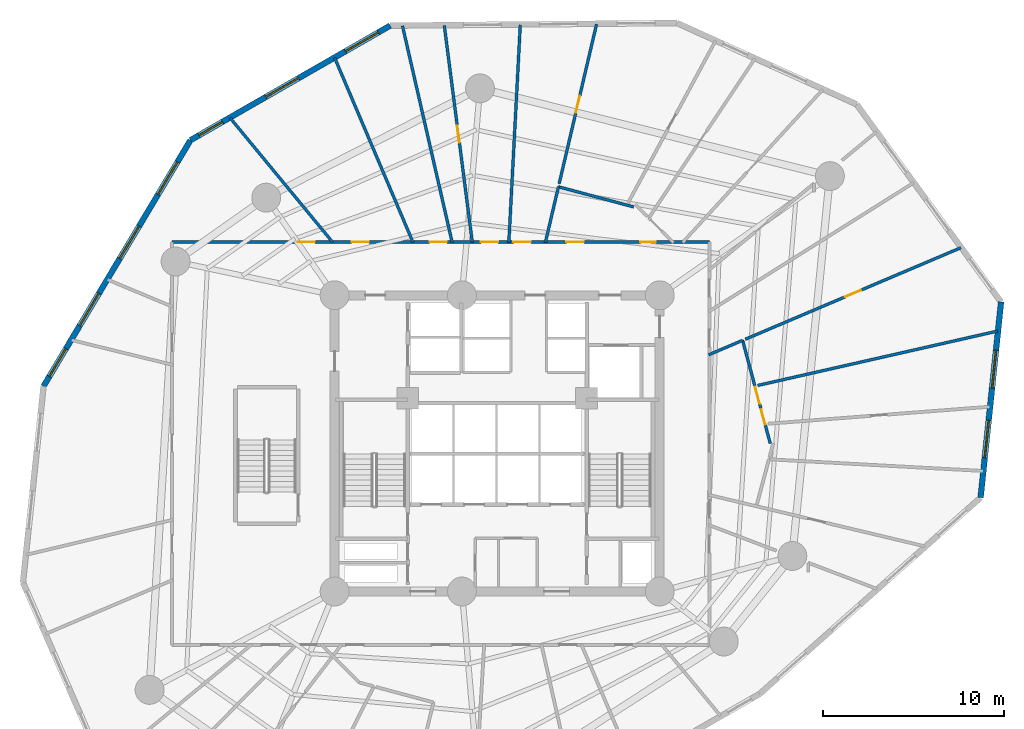
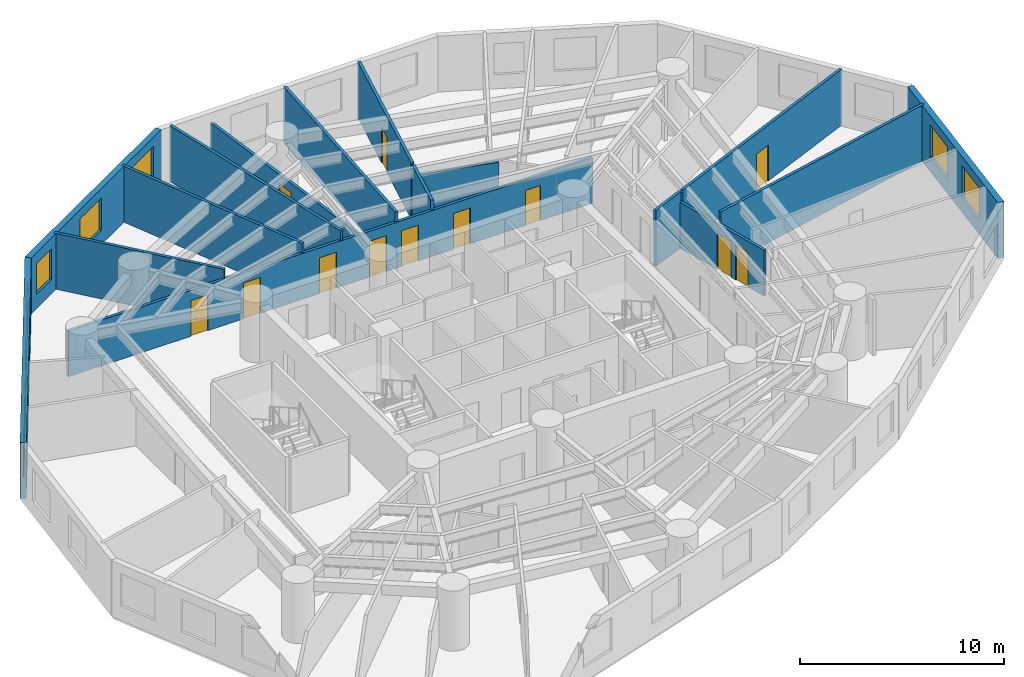
# One storey, part 6 of 8: 16 walls, 12 doors, 9 windows, 21 openings.
"""IFC4 building model written with IfcOpenShell, lengths in metres."""

from ifc_helpers import new_model, si_unit, direction, frame, frame_2d, origin, origin_with_axes, place, context, subcontext, project, spatial, rectangle, extrude, source, transform, mapped, material, layer, layer_set, type_object, element, fill, save


model = new_model("IFC4")

# Units and contexts
model_context = context("Model", 3, precision=1e-05, world=origin(), true_north=direction((0.0, 1.0)))
body_context = subcontext(model_context, "Body", "Model", "MODEL_VIEW")
ifc_project = project(units=[si_unit("LENGTHUNIT", "METRE"), si_unit("AREAUNIT", "SQUARE_METRE"), si_unit("VOLUMEUNIT", "CUBIC_METRE"), si_unit("PLANEANGLEUNIT", "RADIAN"), si_unit("MASSUNIT", "GRAM", prefix="KILO")], contexts=[model_context])

# Site, building, storey
site_placement = place(None, origin())
site = spatial("IfcSite", under=ifc_project, at=site_placement, CompositionType="ELEMENT")
building_placement = place(site_placement, origin())
building = spatial("IfcBuilding", under=site, at=building_placement, Name="Karkom Vertical University and Central Library", CompositionType="ELEMENT")
storey_placement = place(building_placement, frame((0.0, 0.0, 30.10009765625)))
storey = spatial("IfcBuildingStorey", under=building, at=storey_placement, Name="L07", CompositionType="ELEMENT", Elevation=30.10009765625)

# Wall, openings, windows
ifc_material_1 = material(Name="Brick-faced precast concrete C45/55", Category="masonry")
ifc_layer_1 = layer(ifc_material_1, 0.320068359375)
ifc_layer_set_1 = layer_set([ifc_layer_1], Name="Brick-faced precast concrete C45/55")
wall_type_1 = type_object("IfcWallType", Name="ENV-WL-BRK-320", PredefinedType="SOLIDWALL", material=ifc_layer_set_1)
wall_1_placement = place(storey_placement, frame((22.580810546875, 49.63427734375, 0.0), z_axis=(0.0, 0.0, 1.0), x_axis=(-0.867413771036, -0.497587529805, 0.0)))
wall_1 = element("IfcWall", 1, at=wall_1_placement, inside=storey, type_object=wall_type_1, Name="Level 07 Brick-Faced Precast Facade Wall 01", PredefinedType="SOLIDWALL", context=body_context, shape_type="SweptSolid", body=[
    extrude(rectangle(XDim=12.75341796875, YDim=0.320068359375, at=frame_2d((6.376708984375, 0.0))), origin(), (0.0, 0.0, 1.0), 3.349853515625),
])
opening_1_placement = place(wall_1_placement, frame((0.76171875, 0.0, 0.85009765625)))
opening_1 = element("IfcOpeningElement", 2, at=opening_1_placement, cuts=wall_1, Name="Opening WN-03", PredefinedType="OPENING", context=body_context, shape_type="SweptSolid", body=[
    extrude(rectangle(XDim=2.10009765625, YDim=1.949951171875, at=frame_2d((1.050048828125, 0.97509765625))), frame((0.0, 0.169921875, 0.0), z_axis=(0.0, -1.0, 0.0), x_axis=(1.0, 0.0, 0.0)), (0.0, 0.0, 1.0), 0.340087890625),
])
opening_2_placement = place(wall_1_placement, frame((5.845703125, 0.0, 0.85009765625)))
opening_2 = element("IfcOpeningElement", 3, at=opening_2_placement, cuts=wall_1, Name="Opening WN-03", PredefinedType="OPENING", context=body_context, shape_type="SweptSolid", body=[
    extrude(rectangle(XDim=2.10009765625, YDim=1.949951171875, at=frame_2d((1.050048828125, 0.97509765625))), frame((0.0, 0.169921875, 0.0), z_axis=(0.0, -1.0, 0.0), x_axis=(1.0, 0.0, 0.0)), (0.0, 0.0, 1.0), 0.340087890625),
])
opening_3_placement = place(wall_1_placement, frame((10.7109375, 0.0, 0.85009765625)))
opening_3 = element("IfcOpeningElement", 4, at=opening_3_placement, cuts=wall_1, Name="Opening WN-05", PredefinedType="OPENING", context=body_context, shape_type="SweptSolid", body=[
    extrude(rectangle(XDim=1.5, YDim=1.85009765625, at=frame_2d((0.75, 0.925048828125))), frame((0.0, 0.169921875, 0.0), z_axis=(0.0, -1.0, 0.0), x_axis=(1.0, 0.0, 0.0)), (0.0, 0.0, 1.0), 0.340087890625),
])
ifc_material_2 = material(Name="Aluminium thermal-break frame with solar-control IGU", Category="aluminium")
window_type_1 = type_object("IfcWindowType", Name="ENV-WIN-WN-03", PartitioningType="SINGLE_PANEL", PredefinedType="WINDOW", material=ifc_material_2)
shared_shape_1 = source(origin_with_axes(), body_context, "Body", "SweptSolid", [
    extrude(rectangle(XDim=2.10009765625, YDim=1.949951171875, at=frame_2d((1.050048828125, 0.97509765625))), frame((0.0, 0.030029296875, 0.0), z_axis=(0.0, -1.0, 0.0), x_axis=(1.0, 0.0, 0.0)), (0.0, 0.0, 1.0), 0.06005859375),
])
window_1_placement = place(opening_1_placement, origin())
window_1 = element("IfcWindow", 5, at=window_1_placement, inside=storey, type_object=window_type_1, Name="Level 07 Punched Window 1.1", OverallHeight=1.949951171875, OverallWidth=2.10009765625, PartitioningType="SINGLE_PANEL", PredefinedType="WINDOW", context=body_context, shape_type="MappedRepresentation", body=[
    mapped(shared_shape_1, transform((0.0, 0.0, 0.0), scale=1.0)),
])
fill(opening_1, window_1)
window_2_placement = place(opening_2_placement, origin())
window_2 = element("IfcWindow", 6, at=window_2_placement, inside=storey, type_object=window_type_1, Name="Level 07 Punched Window 1.2", OverallHeight=1.949951171875, OverallWidth=2.10009765625, PartitioningType="SINGLE_PANEL", PredefinedType="WINDOW", context=body_context, shape_type="MappedRepresentation", body=[
    mapped(shared_shape_1, transform((0.0, 0.0, 0.0), scale=1.0)),
])
fill(opening_2, window_2)
window_type_2 = type_object("IfcWindowType", Name="ENV-WIN-WN-05", PartitioningType="SINGLE_PANEL", PredefinedType="WINDOW", material=ifc_material_2)
shared_shape_2 = source(origin_with_axes(), body_context, "Body", "SweptSolid", [
    extrude(rectangle(XDim=1.5, YDim=1.85009765625, at=frame_2d((0.75, 0.925048828125))), frame((0.0, 0.030029296875, 0.0), z_axis=(0.0, -1.0, 0.0), x_axis=(1.0, 0.0, 0.0)), (0.0, 0.0, 1.0), 0.06005859375),
])
window_3_placement = place(opening_3_placement, origin())
window_3 = element("IfcWindow", 7, at=window_3_placement, inside=storey, type_object=window_type_2, Name="Level 07 Punched Window 1.3", OverallHeight=1.85009765625, OverallWidth=1.5, PartitioningType="SINGLE_PANEL", PredefinedType="WINDOW", context=body_context, shape_type="MappedRepresentation", body=[
    mapped(shared_shape_2, transform((0.0, 0.0, 0.0), scale=1.0)),
])
fill(opening_3, window_3)

wall_2_placement = place(storey_placement, frame((11.518310546875, 43.288330078125, 0.0), z_axis=(0.0, 0.0, 1.0), x_axis=(-0.512752929275, -0.858536215614, 0.0)))
wall_2 = element("IfcWall", 8, at=wall_2_placement, inside=storey, type_object=wall_type_1, Name="Level 07 Brick-Faced Precast Facade Wall 02", PredefinedType="SOLIDWALL", context=body_context, shape_type="SweptSolid", body=[
    extrude(rectangle(XDim=15.8720703125, YDim=0.320068359375, at=frame_2d((7.93603515625, 0.0))), origin(), (0.0, 0.0, 1.0), 3.349853515625),
])
opening_4_placement = place(wall_2_placement, frame((1.399169921875, 0.0, 0.85009765625)))
opening_4 = element("IfcOpeningElement", 9, at=opening_4_placement, cuts=wall_2, Name="Opening WN-03", PredefinedType="OPENING", context=body_context, shape_type="SweptSolid", body=[
    extrude(rectangle(XDim=2.10009765625, YDim=1.949951171875, at=frame_2d((1.050048828125, 0.97509765625))), frame((0.0, 0.169921875, 0.0), z_axis=(0.0, -1.0, 0.0), x_axis=(1.0, 0.0, 0.0)), (0.0, 0.0, 1.0), 0.340087890625),
])
opening_5_placement = place(wall_2_placement, frame((5.537109375, 0.0, 0.85009765625)))
opening_5 = element("IfcOpeningElement", 10, at=opening_5_placement, cuts=wall_2, Name="Opening WN-03", PredefinedType="OPENING", context=body_context, shape_type="SweptSolid", body=[
    extrude(rectangle(XDim=2.10009765625, YDim=1.949951171875, at=frame_2d((1.050048828125, 0.97509765625))), frame((0.0, 0.169921875, 0.0), z_axis=(0.0, -1.0, 0.0), x_axis=(1.0, 0.0, 0.0)), (0.0, 0.0, 1.0), 0.340087890625),
])
opening_6_placement = place(wall_2_placement, frame((9.87060546875, 0.0, 0.85009765625)))
opening_6 = element("IfcOpeningElement", 11, at=opening_6_placement, cuts=wall_2, Name="Opening WN-03", PredefinedType="OPENING", context=body_context, shape_type="SweptSolid", body=[
    extrude(rectangle(XDim=2.10009765625, YDim=1.949951171875, at=frame_2d((1.050048828125, 0.97509765625))), frame((0.0, 0.169921875, 0.0), z_axis=(0.0, -1.0, 0.0), x_axis=(1.0, 0.0, 0.0)), (0.0, 0.0, 1.0), 0.340087890625),
])
opening_7_placement = place(wall_2_placement, frame((13.4384765625, 0.0, 0.85009765625)))
opening_7 = element("IfcOpeningElement", 12, at=opening_7_placement, cuts=wall_2, Name="Opening WN-04", PredefinedType="OPENING", context=body_context, shape_type="SweptSolid", body=[
    extrude(rectangle(XDim=1.800048828125, YDim=1.85009765625, at=frame_2d((0.89990234375, 0.925048828125))), frame((0.0, 0.169921875, 0.0), z_axis=(0.0, -1.0, 0.0), x_axis=(1.0, 0.0, 0.0)), (0.0, 0.0, 1.0), 0.340087890625),
])
window_4_placement = place(opening_4_placement, origin())
window_4 = element("IfcWindow", 13, at=window_4_placement, inside=storey, type_object=window_type_1, Name="Level 07 Punched Window 2.1", OverallHeight=1.949951171875, OverallWidth=2.10009765625, PartitioningType="SINGLE_PANEL", PredefinedType="WINDOW", context=body_context, shape_type="MappedRepresentation", body=[
    mapped(shared_shape_1, transform((0.0, 0.0, 0.0), scale=1.0)),
])
fill(opening_4, window_4)
window_5_placement = place(opening_5_placement, origin())
window_5 = element("IfcWindow", 14, at=window_5_placement, inside=storey, type_object=window_type_1, Name="Level 07 Punched Window 2.2", OverallHeight=1.949951171875, OverallWidth=2.10009765625, PartitioningType="SINGLE_PANEL", PredefinedType="WINDOW", context=body_context, shape_type="MappedRepresentation", body=[
    mapped(shared_shape_1, transform((0.0, 0.0, 0.0), scale=1.0)),
])
fill(opening_5, window_5)
window_6_placement = place(opening_6_placement, origin())
window_6 = element("IfcWindow", 15, at=window_6_placement, inside=storey, type_object=window_type_1, Name="Level 07 Punched Window 2.3", OverallHeight=1.949951171875, OverallWidth=2.10009765625, PartitioningType="SINGLE_PANEL", PredefinedType="WINDOW", context=body_context, shape_type="MappedRepresentation", body=[
    mapped(shared_shape_1, transform((0.0, 0.0, 0.0), scale=1.0)),
])
fill(opening_6, window_6)
window_type_3 = type_object("IfcWindowType", Name="ENV-WIN-WN-04", PartitioningType="SINGLE_PANEL", PredefinedType="WINDOW", material=ifc_material_2)
shared_shape_3 = source(origin_with_axes(), body_context, "Body", "SweptSolid", [
    extrude(rectangle(XDim=1.800048828125, YDim=1.85009765625, at=frame_2d((0.89990234375, 0.925048828125))), frame((0.0, 0.030029296875, 0.0), z_axis=(0.0, -1.0, 0.0), x_axis=(1.0, 0.0, 0.0)), (0.0, 0.0, 1.0), 0.06005859375),
])
window_7_placement = place(opening_7_placement, origin())
window_7 = element("IfcWindow", 16, at=window_7_placement, inside=storey, type_object=window_type_3, Name="Level 07 Punched Window 2.4", OverallHeight=1.85009765625, OverallWidth=1.800048828125, PartitioningType="SINGLE_PANEL", PredefinedType="WINDOW", context=body_context, shape_type="MappedRepresentation", body=[
    mapped(shared_shape_3, transform((0.0, 0.0, 0.0), scale=1.0)),
])
fill(opening_7, window_7)

wall_3_placement = place(storey_placement, frame((55.265380859375, 23.495361328125, 0.0), z_axis=(0.0, 0.0, 1.0), x_axis=(0.104114461254, 0.994565321614, 0.0)))
wall_3 = element("IfcWall", 17, at=wall_3_placement, inside=storey, type_object=wall_type_1, Name="Level 07 Brick-Faced Precast Facade Wall 09", PredefinedType="SOLIDWALL", context=body_context, shape_type="SweptSolid", body=[
    extrude(rectangle(XDim=10.89697265625, YDim=0.320068359375, at=frame_2d((5.448486328125, 0.0))), origin(), (0.0, 0.0, 1.0), 3.349853515625),
])
opening_8_placement = place(wall_3_placement, frame((2.218017578125, 0.0, 0.85009765625)))
opening_8 = element("IfcOpeningElement", 18, at=opening_8_placement, cuts=wall_3, Name="Opening WN-03", PredefinedType="OPENING", context=body_context, shape_type="SweptSolid", body=[
    extrude(rectangle(XDim=2.10009765625, YDim=1.949951171875, at=frame_2d((1.050048828125, 0.97509765625))), frame((0.0, 0.169921875, 0.0), z_axis=(0.0, -1.0, 0.0), x_axis=(1.0, 0.0, 0.0)), (0.0, 0.0, 1.0), 0.340087890625),
])
opening_9_placement = place(wall_3_placement, frame((6.10595703125, 0.0, 0.85009765625)))
opening_9 = element("IfcOpeningElement", 19, at=opening_9_placement, cuts=wall_3, Name="Opening WN-03", PredefinedType="OPENING", context=body_context, shape_type="SweptSolid", body=[
    extrude(rectangle(XDim=2.10009765625, YDim=1.949951171875, at=frame_2d((1.050048828125, 0.97509765625))), frame((0.0, 0.169921875, 0.0), z_axis=(0.0, -1.0, 0.0), x_axis=(1.0, 0.0, 0.0)), (0.0, 0.0, 1.0), 0.340087890625),
])
window_8_placement = place(opening_8_placement, origin())
window_8 = element("IfcWindow", 20, at=window_8_placement, inside=storey, type_object=window_type_1, Name="Level 07 Punched Window 9.1", OverallHeight=1.949951171875, OverallWidth=2.10009765625, PartitioningType="SINGLE_PANEL", PredefinedType="WINDOW", context=body_context, shape_type="MappedRepresentation", body=[
    mapped(shared_shape_1, transform((0.0, 0.0, 0.0), scale=1.0)),
])
fill(opening_8, window_8)
window_9_placement = place(opening_9_placement, origin())
window_9 = element("IfcWindow", 21, at=window_9_placement, inside=storey, type_object=window_type_1, Name="Level 07 Punched Window 9.2", OverallHeight=1.949951171875, OverallWidth=2.10009765625, PartitioningType="SINGLE_PANEL", PredefinedType="WINDOW", context=body_context, shape_type="MappedRepresentation", body=[
    mapped(shared_shape_1, transform((0.0, 0.0, 0.0), scale=1.0)),
])
fill(opening_9, window_9)

# Wall, openings, doors
ifc_material_3 = material(Name="Insulated metal-stud drywall 160mm", Category="gypsum")
ifc_layer_2 = layer(ifc_material_3, 0.159912109375)
ifc_layer_set_2 = layer_set([ifc_layer_2], Name="Insulated metal-stud drywall 160mm")
wall_type_2 = type_object("IfcWallType", Name="INT-WL-COR-160", PredefinedType="PARTITIONING", material=ifc_layer_set_2)
wall_4_placement = place(storey_placement, frame((10.5, 37.64990234375, 0.0), z_axis=(0.0, 0.0, 1.0), x_axis=(1.0, 0.0, 0.0)))
wall_4 = element("IfcWall", 22, at=wall_4_placement, inside=storey, type_object=wall_type_2, Name="Level 07 Interior Partition Wall Level 07-CORW-CW-003", PredefinedType="PARTITIONING", context=body_context, shape_type="SweptSolid", body=[
    extrude(rectangle(XDim=29.75, YDim=0.159912109375, at=frame_2d((14.875, 0.0))), origin(), (0.0, 0.0, 1.0), 2.75),
])
opening_10_placement = place(wall_4_placement, frame((25.9287109375, 0.0, 0.0)))
opening_10 = element("IfcOpeningElement", 23, at=opening_10_placement, cuts=wall_4, Name="Opening FD-BTH1", PredefinedType="OPENING", context=body_context, shape_type="SweptSolid", body=[
    extrude(rectangle(XDim=0.860107421875, YDim=2.10009765625, at=frame_2d((0.43017578125, 1.050048828125))), frame((0.0, 0.08984375, 0.0), z_axis=(0.0, -1.0, 0.0), x_axis=(1.0, 0.0, 0.0)), (0.0, 0.0, 1.0), 0.179931640625),
])
opening_11_placement = place(wall_4_placement, frame((21.83740234375, 0.0, 0.0)))
opening_11 = element("IfcOpeningElement", 24, at=opening_11_placement, cuts=wall_4, Name="Opening FD-RM2", PredefinedType="OPENING", context=body_context, shape_type="SweptSolid", body=[
    extrude(rectangle(XDim=0.9599609375, YDim=2.14990234375, at=frame_2d((0.47998046875, 1.074951171875))), frame((0.0, 0.08984375, 0.0), z_axis=(0.0, -1.0, 0.0), x_axis=(1.0, 0.0, 0.0)), (0.0, 0.0, 1.0), 0.179931640625),
])
opening_12_placement = place(wall_4_placement, frame((18.902587890625, 0.0, 0.0)))
opening_12 = element("IfcOpeningElement", 25, at=opening_12_placement, cuts=wall_4, Name="Opening FD-RM2", PredefinedType="OPENING", context=body_context, shape_type="SweptSolid", body=[
    extrude(rectangle(XDim=0.9599609375, YDim=2.14990234375, at=frame_2d((0.47998046875, 1.074951171875))), frame((0.0, 0.08984375, 0.0), z_axis=(0.0, -1.0, 0.0), x_axis=(1.0, 0.0, 0.0)), (0.0, 0.0, 1.0), 0.179931640625),
])
opening_13_placement = place(wall_4_placement, frame((17.095703125, 0.0, 0.0)))
opening_13 = element("IfcOpeningElement", 26, at=opening_13_placement, cuts=wall_4, Name="Opening FD-RM2", PredefinedType="OPENING", context=body_context, shape_type="SweptSolid", body=[
    extrude(rectangle(XDim=0.9599609375, YDim=2.14990234375, at=frame_2d((0.47998046875, 1.074951171875))), frame((0.0, 0.08984375, 0.0), z_axis=(0.0, -1.0, 0.0), x_axis=(1.0, 0.0, 0.0)), (0.0, 0.0, 1.0), 0.179931640625),
])
opening_14_placement = place(wall_4_placement, frame((14.260009765625, 0.0, 0.0)))
opening_14 = element("IfcOpeningElement", 27, at=opening_14_placement, cuts=wall_4, Name="Opening FD-RM2", PredefinedType="OPENING", context=body_context, shape_type="SweptSolid", body=[
    extrude(rectangle(XDim=0.9599609375, YDim=2.14990234375, at=frame_2d((0.47998046875, 1.074951171875))), frame((0.0, 0.08984375, 0.0), z_axis=(0.0, -1.0, 0.0), x_axis=(1.0, 0.0, 0.0)), (0.0, 0.0, 1.0), 0.179931640625),
])
opening_15_placement = place(wall_4_placement, frame((9.9375, 0.0, 0.0)))
opening_15 = element("IfcOpeningElement", 28, at=opening_15_placement, cuts=wall_4, Name="Opening FD-RM2", PredefinedType="OPENING", context=body_context, shape_type="SweptSolid", body=[
    extrude(rectangle(XDim=0.9599609375, YDim=2.14990234375, at=frame_2d((0.47998046875, 1.074951171875))), frame((0.0, 0.08984375, 0.0), z_axis=(0.0, -1.0, 0.0), x_axis=(1.0, 0.0, 0.0)), (0.0, 0.0, 1.0), 0.179931640625),
])
opening_16_placement = place(wall_4_placement, frame((6.96240234375, 0.0, 0.0)))
opening_16 = element("IfcOpeningElement", 29, at=opening_16_placement, cuts=wall_4, Name="Opening D-RM1", PredefinedType="OPENING", context=body_context, shape_type="SweptSolid", body=[
    extrude(rectangle(XDim=0.949951171875, YDim=2.14990234375, at=frame_2d((0.47509765625, 1.074951171875))), frame((0.0, 0.08984375, 0.0), z_axis=(0.0, -1.0, 0.0), x_axis=(1.0, 0.0, 0.0)), (0.0, 0.0, 1.0), 0.179931640625),
])
ifc_material_4 = material(Name="Fire-rated oak veneer door", Category="wood")
door_type_1 = type_object("IfcDoorType", Name="INT-DR-FRM2", OperationType="NOTDEFINED", PredefinedType="DOOR", material=ifc_material_4)
shared_shape_4 = source(origin_with_axes(), body_context, "Body", "SweptSolid", [
    extrude(rectangle(XDim=0.9599609375, YDim=2.14990234375, at=frame_2d((0.47998046875, 1.074951171875))), frame((0.0, 0.02490234375, 0.0), z_axis=(0.0, -1.0, 0.0), x_axis=(1.0, 0.0, 0.0)), (0.0, 0.0, 1.0), 0.050048828125),
])
door_1_placement = place(opening_11_placement, origin())
door_1 = element("IfcDoor", 30, at=door_1_placement, inside=storey, type_object=door_type_1, Name="Level 07 Room Entry Door 230", OperationType="SINGLE_SWING_RIGHT", OverallHeight=2.14990234375, OverallWidth=0.9599609375, PredefinedType="DOOR", context=body_context, shape_type="MappedRepresentation", body=[
    mapped(shared_shape_4, transform((0.0, 0.0, 0.0), scale=1.0)),
])
fill(opening_11, door_1)
door_2_placement = place(opening_12_placement, origin())
door_2 = element("IfcDoor", 31, at=door_2_placement, inside=storey, type_object=door_type_1, Name="Level 07 Room Entry Door 250", OperationType="SINGLE_SWING_LEFT", OverallHeight=2.14990234375, OverallWidth=0.9599609375, PredefinedType="DOOR", context=body_context, shape_type="MappedRepresentation", body=[
    mapped(shared_shape_4, transform((0.0, 0.0, 0.0), scale=1.0)),
])
fill(opening_12, door_2)
door_3_placement = place(opening_13_placement, origin())
door_3 = element("IfcDoor", 32, at=door_3_placement, inside=storey, type_object=door_type_1, Name="Level 07 Room Entry Door 260", OperationType="SINGLE_SWING_RIGHT", OverallHeight=2.14990234375, OverallWidth=0.9599609375, PredefinedType="DOOR", context=body_context, shape_type="MappedRepresentation", body=[
    mapped(shared_shape_4, transform((0.0, 0.0, 0.0), scale=1.0)),
])
fill(opening_13, door_3)
door_4_placement = place(opening_14_placement, origin())
door_4 = element("IfcDoor", 33, at=door_4_placement, inside=storey, type_object=door_type_1, Name="Level 07 Room Entry Door 280", OperationType="SINGLE_SWING_LEFT", OverallHeight=2.14990234375, OverallWidth=0.9599609375, PredefinedType="DOOR", context=body_context, shape_type="MappedRepresentation", body=[
    mapped(shared_shape_4, transform((0.0, 0.0, 0.0), scale=1.0)),
])
fill(opening_14, door_4)
door_5_placement = place(opening_15_placement, origin())
door_5 = element("IfcDoor", 34, at=door_5_placement, inside=storey, type_object=door_type_1, Name="Level 07 Room Entry Door 290", OperationType="SINGLE_SWING_RIGHT", OverallHeight=2.14990234375, OverallWidth=0.9599609375, PredefinedType="DOOR", context=body_context, shape_type="MappedRepresentation", body=[
    mapped(shared_shape_4, transform((0.0, 0.0, 0.0), scale=1.0)),
])
fill(opening_15, door_5)
ifc_material_5 = material(Name="Fire-rated moisture-resistant oak door", Category="wood")
door_type_2 = type_object("IfcDoorType", Name="INT-DR-FBTH1", OperationType="NOTDEFINED", PredefinedType="DOOR", material=ifc_material_5)
shared_shape_5 = source(origin_with_axes(), body_context, "Body", "SweptSolid", [
    extrude(rectangle(XDim=0.860107421875, YDim=2.10009765625, at=frame_2d((0.43017578125, 1.050048828125))), frame((0.0, 0.02490234375, 0.0), z_axis=(0.0, -1.0, 0.0), x_axis=(1.0, 0.0, 0.0)), (0.0, 0.0, 1.0), 0.050048828125),
])
door_6_placement = place(opening_10_placement, origin())
door_6 = element("IfcDoor", 35, at=door_6_placement, inside=storey, type_object=door_type_2, Name="Level 07 Room Entry Door 200", OperationType="SINGLE_SWING_LEFT", OverallHeight=2.10009765625, OverallWidth=0.860107421875, PredefinedType="DOOR", context=body_context, shape_type="MappedRepresentation", body=[
    mapped(shared_shape_5, transform((0.0, 0.0, 0.0), scale=1.0)),
])
fill(opening_10, door_6)
ifc_material_6 = material(Name="Solid-core oak veneer door", Category="wood")
door_type_3 = type_object("IfcDoorType", Name="INT-DR-RM1", OperationType="NOTDEFINED", PredefinedType="DOOR", material=ifc_material_6)
shared_shape_6 = source(origin_with_axes(), body_context, "Body", "SweptSolid", [
    extrude(rectangle(XDim=0.949951171875, YDim=2.14990234375, at=frame_2d((0.47509765625, 1.074951171875))), frame((0.0, 0.02490234375, 0.0), z_axis=(0.0, -1.0, 0.0), x_axis=(1.0, 0.0, 0.0)), (0.0, 0.0, 1.0), 0.050048828125),
])
door_7_placement = place(opening_16_placement, origin())
door_7 = element("IfcDoor", 36, at=door_7_placement, inside=storey, type_object=door_type_3, Name="Level 07 Room Entry Door 300", OperationType="SINGLE_SWING_LEFT", OverallHeight=2.14990234375, OverallWidth=0.949951171875, PredefinedType="DOOR", context=body_context, shape_type="MappedRepresentation", body=[
    mapped(shared_shape_6, transform((0.0, 0.0, 0.0), scale=1.0)),
])
fill(opening_16, door_7)

# Wall
wall_5_placement = place(storey_placement, frame((42.92333984375, 29.7080078125, 0.0), z_axis=(0.0, 0.0, 1.0), x_axis=(0.97525512023, 0.221082451737, 0.0)))
element("IfcWall", 37, at=wall_5_placement, inside=storey, type_object=wall_type_2, Name="Level 07 Interior Partition Wall Level 07-PW-030", PredefinedType="PARTITIONING", context=body_context, shape_type="SweptSolid", body=[
    extrude(rectangle(XDim=13.615966796875, YDim=0.159912109375, at=frame_2d((6.80810546875, 0.0))), origin(), (0.0, 0.0, 1.0), 3.349853515625),
])

# Wall, opening, door
wall_6_placement = place(storey_placement, frame((42.237548828125, 32.266845703125, 0.0), z_axis=(0.0, 0.0, 1.0), x_axis=(0.920484525467, 0.390779014759, 0.0)))
wall_6 = element("IfcWall", 38, at=wall_6_placement, inside=storey, type_object=wall_type_2, Name="Level 07 Interior Partition Wall Level 07-PW-031", PredefinedType="PARTITIONING", context=body_context, shape_type="SweptSolid", body=[
    extrude(rectangle(XDim=12.96728515625, YDim=0.159912109375, at=frame_2d((6.483642578125, 0.0))), origin(), (0.0, 0.0, 1.0), 3.349853515625),
])
opening_17_placement = place(wall_6_placement, frame((5.9912109375, 0.0, 0.0)))
opening_17 = element("IfcOpeningElement", 39, at=opening_17_placement, cuts=wall_6, Name="Opening FD-RM2", PredefinedType="OPENING", context=body_context, shape_type="SweptSolid", body=[
    extrude(rectangle(XDim=0.9599609375, YDim=2.14990234375, at=frame_2d((0.47998046875, 1.074951171875))), frame((0.0, 0.08984375, 0.0), z_axis=(0.0, -1.0, 0.0), x_axis=(1.0, 0.0, 0.0)), (0.0, 0.0, 1.0), 0.179931640625),
])
door_8_placement = place(opening_17_placement, origin())
door_8 = element("IfcDoor", 40, at=door_8_placement, inside=storey, type_object=door_type_1, Name="Level 07 Room Entry Door 170", OperationType="SINGLE_SWING_RIGHT", OverallHeight=2.14990234375, OverallWidth=0.9599609375, PredefinedType="DOOR", context=body_context, shape_type="MappedRepresentation", body=[
    mapped(shared_shape_4, transform((0.0, 0.0, 0.0), scale=1.0)),
])
fill(opening_17, door_8)

# Wall
wall_7_placement = place(storey_placement, frame((26.013671875, 37.606201171875, 0.0), z_axis=(0.0, 0.0, 1.0), x_axis=(-0.223633465596, 0.974673316073, 0.0)))
element("IfcWall", 41, at=wall_7_placement, inside=storey, type_object=wall_type_2, Name="Level 07 Interior Partition Wall Level 07-PW-046", PredefinedType="PARTITIONING", context=body_context, shape_type="SweptSolid", body=[
    extrude(rectangle(XDim=12.31982421875, YDim=0.159912109375, at=frame_2d((6.159912109375, 0.0))), origin(), (0.0, 0.0, 1.0), 3.349853515625),
])

# Wall, opening, door
wall_8_placement = place(storey_placement, frame((27.124755859375, 37.6201171875, 0.0), z_axis=(0.0, 0.0, 1.0), x_axis=(-0.128056373471, 0.991766890561, 0.0)))
wall_8 = element("IfcWall", 42, at=wall_8_placement, inside=storey, type_object=wall_type_2, Name="Level 07 Interior Partition Wall Level 07-PW-045", PredefinedType="PARTITIONING", context=body_context, shape_type="SweptSolid", body=[
    extrude(rectangle(XDim=12.115966796875, YDim=0.159912109375, at=frame_2d((6.05810546875, 0.0))), origin(), (0.0, 0.0, 1.0), 2.699951171875),
])
opening_18_placement = place(wall_8_placement, frame((5.5654296875, 0.0, 0.0)))
opening_18 = element("IfcOpeningElement", 43, at=opening_18_placement, cuts=wall_8, Name="Opening D-RM1", PredefinedType="OPENING", context=body_context, shape_type="SweptSolid", body=[
    extrude(rectangle(XDim=0.949951171875, YDim=2.14990234375, at=frame_2d((0.47509765625, 1.074951171875))), frame((0.0, 0.08984375, 0.0), z_axis=(0.0, -1.0, 0.0), x_axis=(1.0, 0.0, 0.0)), (0.0, 0.0, 1.0), 0.179931640625),
])
door_9_placement = place(opening_18_placement, origin())
door_9 = element("IfcDoor", 44, at=door_9_placement, inside=storey, type_object=door_type_3, Name="Level 07 Room Entry Door 270", OperationType="SINGLE_SWING_LEFT", OverallHeight=2.14990234375, OverallWidth=0.949951171875, PredefinedType="DOOR", context=body_context, shape_type="MappedRepresentation", body=[
    mapped(shared_shape_6, transform((0.0, 0.0, 0.0), scale=1.0)),
])
fill(opening_18, door_9)

# Walls
wall_9_placement = place(storey_placement, frame((29.145263671875, 37.6201171875, 0.0), z_axis=(0.0, 0.0, 1.0), x_axis=(0.052541849458, 0.998618723065, 0.0)))
element("IfcWall", 45, at=wall_9_placement, inside=storey, type_object=wall_type_2, Name="Level 07 Interior Partition Wall Level 07-PW-044", PredefinedType="PARTITIONING", context=body_context, shape_type="SweptSolid", body=[
    extrude(rectangle(XDim=12.07177734375, YDim=0.159912109375, at=frame_2d((6.035888671875, 0.0))), origin(), (0.0, 0.0, 1.0), 3.349853515625),
])
wall_10_placement = place(storey_placement, frame((23.843994140625, 37.622314453125, 0.0), z_axis=(0.0, 0.0, 1.0), x_axis=(-0.390726611885, 0.920506770624, 0.0)))
element("IfcWall", 46, at=wall_10_placement, inside=storey, type_object=wall_type_2, Name="Level 07 Interior Partition Wall Level 07-PW-047", PredefinedType="PARTITIONING", context=body_context, shape_type="SweptSolid", body=[
    extrude(rectangle(XDim=11.1015625, YDim=0.159912109375, at=frame_2d((5.55078125, 0.0))), origin(), (0.0, 0.0, 1.0), 3.349853515625),
])

# Wall, opening, door
wall_11_placement = place(storey_placement, frame((31.928955078125, 40.864013671875, 0.0), z_axis=(0.0, 0.0, 1.0), x_axis=(0.228230713011, 0.973607077644, 0.0)))
wall_11 = element("IfcWall", 47, at=wall_11_placement, inside=storey, type_object=wall_type_2, Name="Level 07 Interior Partition Wall Level 07-PW-043", PredefinedType="PARTITIONING", context=body_context, shape_type="SweptSolid", body=[
    extrude(rectangle(XDim=9.088134765625, YDim=0.159912109375, at=frame_2d((4.5439453125, 0.0))), origin(), (0.0, 0.0, 1.0), 3.349853515625),
])
opening_19_placement = place(wall_11_placement, frame((4.051513671875, 0.0, 0.0)))
opening_19 = element("IfcOpeningElement", 48, at=opening_19_placement, cuts=wall_11, Name="Opening D-RM1", PredefinedType="OPENING", context=body_context, shape_type="SweptSolid", body=[
    extrude(rectangle(XDim=0.949951171875, YDim=2.14990234375, at=frame_2d((0.47509765625, 1.074951171875))), frame((0.0, 0.08984375, 0.0), z_axis=(0.0, -1.0, 0.0), x_axis=(1.0, 0.0, 0.0)), (0.0, 0.0, 1.0), 0.179931640625),
])
door_10_placement = place(opening_19_placement, origin())
door_10 = element("IfcDoor", 49, at=door_10_placement, inside=storey, type_object=door_type_3, Name="Level 07 Room Entry Door 240", OperationType="SINGLE_SWING_RIGHT", OverallHeight=2.14990234375, OverallWidth=0.949951171875, PredefinedType="DOOR", context=body_context, shape_type="MappedRepresentation", body=[
    mapped(shared_shape_6, transform((0.0, 0.0, 0.0), scale=1.0)),
])
fill(opening_19, door_10)

# Wall
wall_12_placement = place(storey_placement, frame((19.401123046875, 37.626953125, 0.0), z_axis=(0.0, 0.0, 1.0), x_axis=(-0.636262626527, 0.77147253359, 0.0)))
element("IfcWall", 50, at=wall_12_placement, inside=storey, type_object=wall_type_2, Name="Level 07 Interior Partition Wall Level 07-PW-048", PredefinedType="PARTITIONING", context=body_context, shape_type="SweptSolid", body=[
    extrude(rectangle(XDim=8.934326171875, YDim=0.159912109375, at=frame_2d((4.46728515625, 0.0))), origin(), (0.0, 0.0, 1.0), 3.349853515625),
])

# Wall, openings, doors
wall_13_placement = place(storey_placement, frame((42.0888671875, 32.203857421875, 0.0), z_axis=(0.0, 0.0, 1.0), x_axis=(0.258815304014, -0.965926828703, 0.0)))
wall_13 = element("IfcWall", 51, at=wall_13_placement, inside=storey, type_object=wall_type_2, Name="Level 07 Interior Partition Wall Level 07-PW-028", PredefinedType="PARTITIONING", context=body_context, shape_type="SweptSolid", body=[
    extrude(rectangle(XDim=5.905029296875, YDim=0.159912109375, at=frame_2d((2.95263671875, 0.0))), origin(), (0.0, 0.0, 1.0), 2.75),
])
opening_20_placement = place(wall_13_placement, frame((3.954833984375, 0.0, 0.0)))
opening_20 = element("IfcOpeningElement", 52, at=opening_20_placement, cuts=wall_13, Name="Opening FD-BTH1", PredefinedType="OPENING", context=body_context, shape_type="SweptSolid", body=[
    extrude(rectangle(XDim=0.860107421875, YDim=2.10009765625, at=frame_2d((0.43017578125, 1.050048828125))), frame((0.0, 0.08984375, 0.0), z_axis=(0.0, -1.0, 0.0), x_axis=(1.0, 0.0, 0.0)), (0.0, 0.0, 1.0), 0.179931640625),
])
opening_21_placement = place(wall_13_placement, frame((2.66748046875, 0.0, 0.0)))
opening_21 = element("IfcOpeningElement", 53, at=opening_21_placement, cuts=wall_13, Name="Opening FD-RM2", PredefinedType="OPENING", context=body_context, shape_type="SweptSolid", body=[
    extrude(rectangle(XDim=0.9599609375, YDim=2.14990234375, at=frame_2d((0.47998046875, 1.074951171875))), frame((0.0, 0.08984375, 0.0), z_axis=(0.0, -1.0, 0.0), x_axis=(1.0, 0.0, 0.0)), (0.0, 0.0, 1.0), 0.179931640625),
])
door_11_placement = place(opening_21_placement, origin())
door_11 = element("IfcDoor", 54, at=door_11_placement, inside=storey, type_object=door_type_1, Name="Level 07 Room Entry Door 160", OperationType="SINGLE_SWING_LEFT", OverallHeight=2.14990234375, OverallWidth=0.9599609375, PredefinedType="DOOR", context=body_context, shape_type="MappedRepresentation", body=[
    mapped(shared_shape_4, transform((0.0, 0.0, 0.0), scale=1.0)),
])
fill(opening_21, door_11)
door_12_placement = place(opening_20_placement, origin())
door_12 = element("IfcDoor", 55, at=door_12_placement, inside=storey, type_object=door_type_2, Name="Level 07 Room Entry Door 140", OperationType="SINGLE_SWING_RIGHT", OverallHeight=2.10009765625, OverallWidth=0.860107421875, PredefinedType="DOOR", context=body_context, shape_type="MappedRepresentation", body=[
    mapped(shared_shape_5, transform((0.0, 0.0, 0.0), scale=1.0)),
])
fill(opening_20, door_12)

# Walls
wall_14_placement = place(storey_placement, frame((31.892333984375, 40.708251953125, 0.0), z_axis=(0.0, 0.0, 1.0), x_axis=(0.965919500244, -0.258842653069, 0.0)))
element("IfcWall", 56, at=wall_14_placement, inside=storey, type_object=wall_type_2, Name="Level 07 Interior Partition Wall Level 07-PW-041", PredefinedType="PARTITIONING", context=body_context, shape_type="SweptSolid", body=[
    extrude(rectangle(XDim=4.313232421875, YDim=0.159912109375, at=frame_2d((2.15673828125, 0.0))), origin(), (0.0, 0.0, 1.0), 2.75),
])
wall_15_placement = place(storey_placement, frame((31.168701171875, 37.620849609375, 0.0), z_axis=(0.0, 0.0, 1.0), x_axis=(0.22819816475, 0.973614706958, 0.0)))
element("IfcWall", 57, at=wall_15_placement, inside=storey, type_object=wall_type_2, Name="Level 07 Interior Partition Wall Level 07-PW-042", PredefinedType="PARTITIONING", context=body_context, shape_type="SweptSolid", body=[
    extrude(rectangle(XDim=3.171142578125, YDim=0.159912109375, at=frame_2d((1.58544921875, 0.0))), origin(), (0.0, 0.0, 1.0), 3.349853515625),
])
wall_16_placement = place(storey_placement, frame((40.20849609375, 31.405517578125, 0.0), z_axis=(0.0, 0.0, 1.0), x_axis=(0.920474977968, 0.39080150324, 0.0)))
element("IfcWall", 58, at=wall_16_placement, inside=storey, type_object=wall_type_2, Name="Level 07 Interior Partition Wall Level 07-PW-029", PredefinedType="PARTITIONING", context=body_context, shape_type="SweptSolid", body=[
    extrude(rectangle(XDim=2.042724609375, YDim=0.159912109375, at=frame_2d((1.021484375, 0.0))), origin(), (0.0, 0.0, 1.0), 3.349853515625),
])

save(model, "model.ifc")
